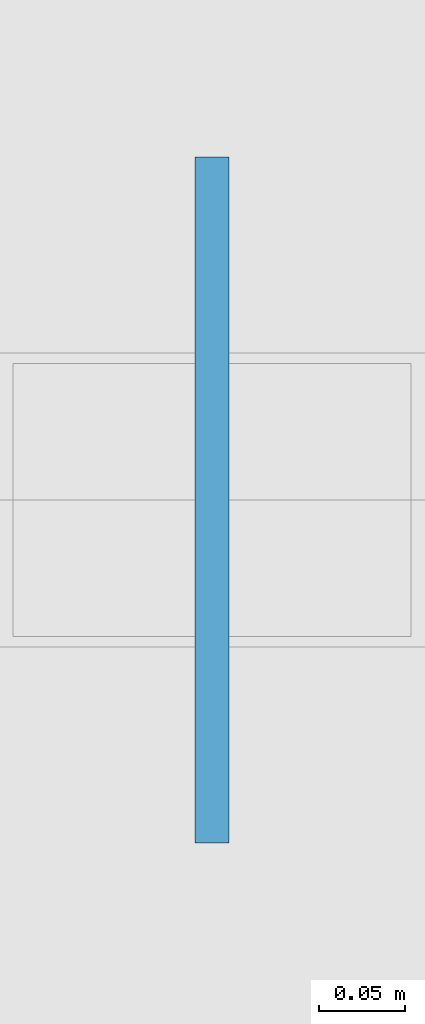
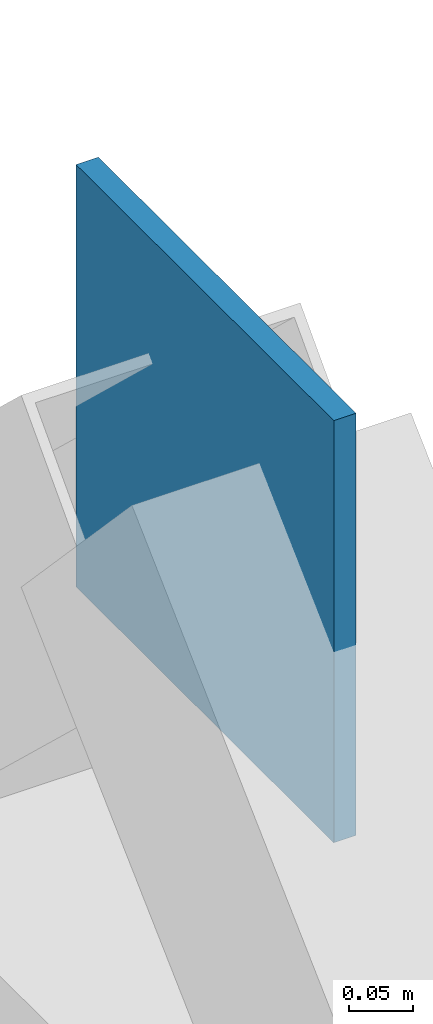
# One storey, part 66 of 130: 1 plate.
"""IFC4 building model written with IfcOpenShell, lengths in metres."""

import ifcopenshell
import ifcopenshell.guid

model = None  # the IFC model being written
_history = None  # IfcOwnerHistory: only IFC2X3 demands one
_inside = {}  # id of a spatial element -> (the spatial element, [elements in it])
_under = {}  # id of a project, library or spatial element -> (it, [spatial elements below it])
_declared = {}  # id of a project -> (the project, [libraries it declares])
_typed = {}  # id of a type object -> (the type object, [elements of that type])
_made_of = {}  # id of a material, layer set ... -> (it, [elements and type objects made of it])


def new_model(schema):
    """Start an empty IFC model of exactly this schema.

    Asked for "IFC4X3", IfcOpenShell would pick the latest addendum, in which some entities
    have other attributes; the version numbers below select the first issue.
    IFC2X3 requires an IfcOwnerHistory on every rooted entity: one is made here for all.
    """
    global model, _history
    if schema == "IFC4X3":
        model = ifcopenshell.file(schema_version=(4, 3, 0, 0))
    else:
        model = ifcopenshell.file(schema=schema)
    _inside.clear()
    _under.clear()
    _declared.clear()
    _typed.clear()
    _made_of.clear()
    _history = None
    if model.schema == "IFC2X3":
        org = make("IfcOrganization", Name="unknown")
        user = make(
            "IfcPersonAndOrganization",
            ThePerson=make("IfcPerson", FamilyName="unknown"),
            TheOrganization=org,
        )
        app = make(
            "IfcApplication",
            ApplicationDeveloper=org,
            Version="unknown",
            ApplicationFullName="unknown",
            ApplicationIdentifier="unknown",
        )
        _history = make(
            "IfcOwnerHistory",
            OwningUser=user,
            OwningApplication=app,
            ChangeAction="ADDED",
            CreationDate=0,
        )
    return model


def make(cls, **values):
    """One entity of the class cls with the attributes given. An attribute that is None is left unset."""
    return model.create_entity(
        cls, **{name: value for name, value in values.items() if value is not None}
    )


def rooted(cls, **values):
    """An entity with a GlobalId (a new one), such as an element, a storey or a relation."""
    return make(cls, GlobalId=ifcopenshell.guid.new(), OwnerHistory=_history, **values)


def si_unit(unit_type, name, prefix=None):
    """IfcSIUnit, for example si_unit("LENGTHUNIT", "METRE", prefix="MILLI")."""
    return make("IfcSIUnit", UnitType=unit_type, Prefix=prefix, Name=name)


def assignment(units):
    """IfcUnitAssignment: the units of a project."""
    return None if units is None else make("IfcUnitAssignment", Units=units)


def point(xyz):
    """IfcCartesianPoint."""
    return None if xyz is None else make("IfcCartesianPoint", Coordinates=xyz)


def direction(xyz):
    """IfcDirection."""
    return None if xyz is None else make("IfcDirection", DirectionRatios=xyz)


def frame(location, z_axis=None, x_axis=None):
    """IfcAxis2Placement3D, a coordinate frame: its origin and axes. An axis left out is left unset."""
    return make(
        "IfcAxis2Placement3D",
        Location=point(location),
        Axis=direction(z_axis),
        RefDirection=direction(x_axis),
    )


def frame_2d(location, x_axis=None):
    """IfcAxis2Placement2D, a coordinate frame in the plane: its origin and x axis."""
    return make(
        "IfcAxis2Placement2D", Location=point(location), RefDirection=direction(x_axis)
    )


def origin():
    """The frame at (0, 0, 0) with its axes left unset."""
    return frame((0.0, 0.0, 0.0))


def origin_2d():
    """The frame at (0, 0) in the plane with its x axis left unset."""
    return frame_2d((0.0, 0.0))


def place(relative_to, where):
    """IfcLocalPlacement: puts the frame where relative to a parent placement (None: the world)."""
    return make(
        "IfcLocalPlacement", PlacementRelTo=relative_to, RelativePlacement=where
    )


def context(
    kind, dimensions, precision=None, world=None, true_north=None, identifier=None
):
    """IfcGeometricRepresentationContext, for example the 3D "Model" context."""
    return make(
        "IfcGeometricRepresentationContext",
        ContextIdentifier=identifier,
        ContextType=kind,
        CoordinateSpaceDimension=dimensions,
        Precision=precision,
        WorldCoordinateSystem=world,
        TrueNorth=true_north,
    )


def subcontext(parent, identifier, kind, view, scale=None):
    """IfcGeometricRepresentationSubContext, for example "Body" below "Model"."""
    return make(
        "IfcGeometricRepresentationSubContext",
        ContextIdentifier=identifier,
        ContextType=kind,
        ParentContext=parent,
        TargetScale=scale,
        TargetView=view,
    )


def project(units=None, contexts=None):
    """IfcProject with its units and contexts."""
    return rooted(
        "IfcProject",
        Name="project",
        RepresentationContexts=contexts,
        UnitsInContext=assignment(units),
    )


def spatial(cls, under=None, at=None, **own):
    """A site, building, storey or space (cls), placed at a placement, below another one or the project."""
    s = rooted(cls, ObjectPlacement=at, **own)
    if under is not None:
        _under.setdefault(under.id(), (under, []))[1].append(s)
    return s


def profile(cls, at=None, kind="AREA", **sizes):
    """A parametric profile (cls). Its sizes go by their IFC names, for example OverallWidth=200.0."""
    return make(cls, ProfileType=kind, Position=at, **sizes)


def rectangle(**sizes):
    """IfcRectangleProfileDef."""
    return profile("IfcRectangleProfileDef", **sizes)


def extrude(swept, where, along, depth):
    """IfcExtrudedAreaSolid: the profile swept, set in the frame where, extruded along a direction by depth."""
    return make(
        "IfcExtrudedAreaSolid",
        SweptArea=swept,
        Position=where,
        ExtrudedDirection=direction(along),
        Depth=depth,
    )


def shape(context_of_items, identifier, shape_type, items):
    """IfcShapeRepresentation: the items that make up one representation, for example the "Body"."""
    return make(
        "IfcShapeRepresentation",
        ContextOfItems=context_of_items,
        RepresentationIdentifier=identifier,
        RepresentationType=shape_type,
        Items=items,
    )


def material(Name=None, Category=None):
    """IfcMaterial."""
    return make("IfcMaterial", Name=Name, Category=Category)


def layer(
    of_material, thickness, ventilated=None, Name=None, Category=None, Priority=None
):
    """IfcMaterialLayer: one layer of a wall or slab, of a material (None: an air gap)."""
    return make(
        "IfcMaterialLayer",
        Material=of_material,
        LayerThickness=thickness,
        IsVentilated=ventilated,
        Name=Name,
        Category=Category,
        Priority=Priority,
    )


def layer_set(layers, Name=None):
    """IfcMaterialLayerSet."""
    return make("IfcMaterialLayerSet", MaterialLayers=layers, LayerSetName=Name)


def made_of(thing, what):
    """Note that an element or type object is made of a material, layer set ...; save() writes the relation."""
    if what is not None:
        _made_of.setdefault(what.id(), (what, []))[1].append(thing)
    return thing


def type_object(cls, material=None, **own):
    """A type object (cls), such as IfcWallType, which elements share."""
    return made_of(rooted(cls, **own), material)


def element(
    cls,
    number,
    at=None,
    inside=None,
    cuts=None,
    type_object=None,
    material=None,
    context=None,
    identifier="Body",
    shape_type=None,
    held_by="IfcProductDefinitionShape",
    body=None,
    shapes=None,
    **own,
):
    """One element of the class cls, such as IfcWall. Its Tag is "e" and its number.

    at: its placement. inside: the storey or other place that contains it. cuts: it is an
    opening in that element (IfcRelVoidsElement). A single representation is given by context,
    identifier, shape_type and body (its items); several are given by shapes. held_by: the class
    of the entity that holds the representations. save() writes the other relations.
    """
    e = rooted(cls, Tag="e%d" % number, ObjectPlacement=at, **own)
    if body is not None:
        shapes = [shape(context, identifier, shape_type, body)]
    if shapes is not None:
        e.Representation = make(held_by, Representations=shapes)
    if inside is not None:
        _inside.setdefault(inside.id(), (inside, []))[1].append(e)
    if cuts is not None:
        rooted(
            "IfcRelVoidsElement", RelatingBuildingElement=cuts, RelatedOpeningElement=e
        )
    if type_object is not None:
        _typed.setdefault(type_object.id(), (type_object, []))[1].append(e)
    return made_of(e, material)


def aggregate(whole, parts):
    """IfcRelAggregates: a whole, such as a stair, and the parts it consists of."""
    return rooted("IfcRelAggregates", RelatingObject=whole, RelatedObjects=parts)


def save(model, path):
    """Write the relations noted so far, then the file.

    IfcRelAggregates (storeys below a building ...), IfcRelContainedInSpatialStructure (elements
    in a storey), IfcRelDefinesByType, IfcRelAssociatesMaterial and IfcRelDeclares: one each for
    every whole, place, type object, material and project.
    """
    for whole, parts in _under.values():
        aggregate(whole, parts)
    for where, things in _inside.values():
        rooted(
            "IfcRelContainedInSpatialStructure",
            RelatedElements=things,
            RelatingStructure=where,
        )
    for kind, things in _typed.values():
        rooted("IfcRelDefinesByType", RelatedObjects=things, RelatingType=kind)
    for what, things in _made_of.values():
        rooted("IfcRelAssociatesMaterial", RelatedObjects=things, RelatingMaterial=what)
    for by, libraries in _declared.values():
        rooted("IfcRelDeclares", RelatingContext=by, RelatedDefinitions=libraries)
    model.write(path)


model = new_model("IFC4")

# Units and contexts
model_context = context("Model", 3, precision=1e-05, world=origin(), true_north=direction((0.0, 1.0)))
body_context = subcontext(model_context, "Body", "Model", "MODEL_VIEW")
ifc_project = project(units=[si_unit("LENGTHUNIT", "METRE"), si_unit("AREAUNIT", "SQUARE_METRE"), si_unit("VOLUMEUNIT", "CUBIC_METRE"), si_unit("PLANEANGLEUNIT", "RADIAN"), si_unit("MASSUNIT", "GRAM", prefix="KILO"), si_unit("THERMODYNAMICTEMPERATUREUNIT", "KELVIN"), si_unit("POWERUNIT", "WATT")], contexts=[model_context])

# Site, building, storey
site_placement = place(None, origin())
site = spatial("IfcSite", under=ifc_project, at=site_placement, CompositionType="ELEMENT")
building_placement = place(site_placement, origin())
building = spatial("IfcBuilding", under=site, at=building_placement, Name="Tallowbark Science Centre", CompositionType="ELEMENT")
storey_placement = place(building_placement, frame((0.0, 0.0, 5.39990234375)))
storey = spatial("IfcBuildingStorey", under=building, at=storey_placement, Name="L01", CompositionType="ELEMENT", Elevation=5.39990234375)

# Plate
ifc_material = material(Name="Structural Steel Grade 300PLUS (300 MPa)", Category="steel")
ifc_layer = layer(ifc_material, 0.02001953125)
ifc_layer_set = layer_set([ifc_layer], Name="Structural Steel Grade 300PLUS (300 MPa)")
plate_type = type_object("IfcPlateType", Name="PLT-GUS-20", PredefinedType="SHEET", material=ifc_layer_set)
plate_placement = place(storey_placement, frame((157.5, 13.5, 4.050048828125), z_axis=(0.0, 0.0, 1.0), x_axis=(0.0, 1.0, 0.0)))
element("IfcPlate", 1, at=plate_placement, inside=storey, type_object=plate_type, Name="Chevron Brace Apex Gusset CBF-THT-E1 L01", PredefinedType="SHEET", context=body_context, shape_type="SweptSolid", body=[
    extrude(rectangle(XDim=0.39990234375, YDim=0.02001953125, at=origin_2d()), origin(), (0.0, 0.0, 1.0), 0.39990234375),
])

save(model, "model.ifc")
